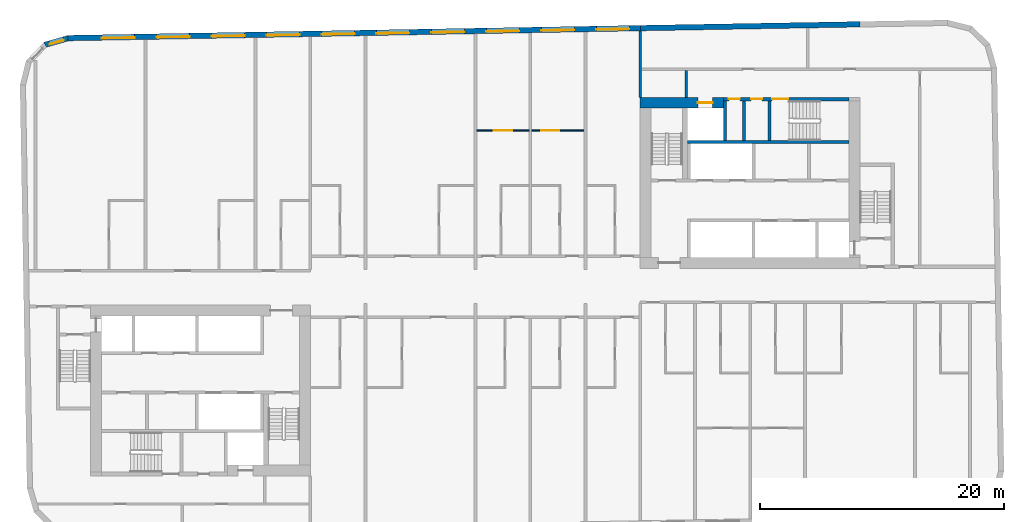
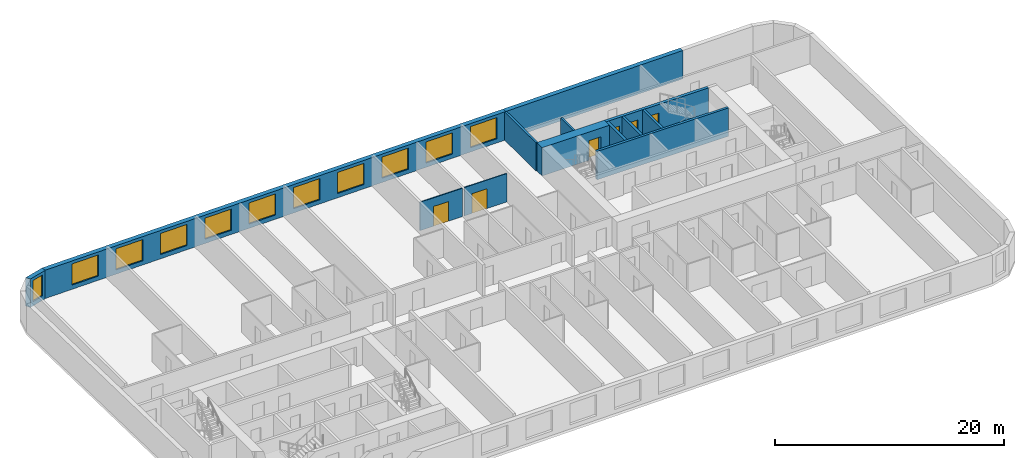
# One storey, part 6 of 12: 13 walls, 11 windows, 6 doors, 17 openings.
"""IFC4 building model written with IfcOpenShell, lengths in metres."""

from ifc_helpers import new_model, si_unit, direction, frame, frame_2d, origin, place, context, subcontext, project, spatial, polyline, rectangle, outline, extrude, material, layer, layer_set, type_object, element, fill, save


model = new_model("IFC4")

# Units and contexts
model_context = context("Model", 3, precision=1e-05, world=origin(), true_north=direction((0.0, 1.0)))
body_context = subcontext(model_context, "Body", "Model", "MODEL_VIEW")
ifc_project = project(units=[si_unit("LENGTHUNIT", "METRE"), si_unit("AREAUNIT", "SQUARE_METRE"), si_unit("VOLUMEUNIT", "CUBIC_METRE"), si_unit("PLANEANGLEUNIT", "RADIAN"), si_unit("MASSUNIT", "GRAM", prefix="KILO")], contexts=[model_context])

# Site, building, storey
site_placement = place(None, origin())
site = spatial("IfcSite", under=ifc_project, at=site_placement, CompositionType="ELEMENT")
building_placement = place(site_placement, origin())
building = spatial("IfcBuilding", under=site, at=building_placement, Name="Kajstack Hotel Tower", CompositionType="ELEMENT")
storey_placement = place(building_placement, frame((0.0, 0.0, 234.199951171875)))
storey = spatial("IfcBuildingStorey", under=building, at=storey_placement, Name="L57", CompositionType="ELEMENT", Elevation=234.199951171875)

# Wall, opening, door
ifc_material_1 = material(Name="Concrete C60/75", Category="concrete")
ifc_layer_1 = layer(ifc_material_1, 0.89990234375)
ifc_layer_set_1 = layer_set([ifc_layer_1], Name="Core wall 900")
wall_type_1 = type_object("IfcWallType", Name="Core wall 900", PredefinedType="SHEAR", material=ifc_layer_set_1)
wall_1_placement = place(storey_placement, frame((13.5, 15.050048828125, 0.0), z_axis=(0.0, 0.0, 1.0), x_axis=(1.0, 0.0, 0.0)))
wall_1 = element("IfcWall", 1, at=wall_1_placement, inside=storey, type_object=wall_type_1, Name="Core wall E RS", PredefinedType="SHEAR", context=body_context, shape_type="SweptSolid", body=[
    extrude(rectangle(XDim=6.800048828125, YDim=0.89990234375, at=frame_2d((3.39990234375, 0.0))), origin(), (0.0, 0.0, 1.0), 3.02001953125),
])
opening_1_placement = place(wall_1_placement, frame((4.72509765625, 0.0, 0.0)))
opening_1 = element("IfcOpeningElement", 2, at=opening_1_placement, cuts=wall_1, Name="Opening LD-SV2", PredefinedType="OPENING", context=body_context, shape_type="SweptSolid", body=[
    extrude(rectangle(XDim=1.199951171875, YDim=2.10009765625, at=frame_2d((0.60009765625, 1.050048828125))), frame((0.0, 0.4599609375, 0.0), z_axis=(0.0, -1.0, 0.0), x_axis=(1.0, 0.0, 0.0)), (0.0, 0.0, 1.0), 0.919921875),
])
ifc_material_2 = material(Name="Stainless steel", Category="steel")
door_type_1 = type_object("IfcDoorType", Name="Lift landing door 1200", OperationType="SLIDING_TO_LEFT", PredefinedType="DOOR", material=ifc_material_2)
door_1_placement = place(opening_1_placement, origin())
door_1 = element("IfcDoor", 3, at=door_1_placement, inside=storey, type_object=door_type_1, Name="Landing door SV2", OperationType="SLIDING_TO_LEFT", OverallHeight=2.10009765625, OverallWidth=1.199951171875, PredefinedType="DOOR", context=body_context, shape_type="SweptSolid", body=[
    extrude(rectangle(XDim=1.199951171875, YDim=2.10009765625, at=frame_2d((0.60009765625, 1.050048828125))), frame((0.0, 0.02490234375, 0.0), z_axis=(0.0, -1.0, 0.0), x_axis=(1.0, 0.0, 0.0)), (0.0, 0.0, 1.0), 0.050048828125),
])
fill(opening_1, door_1)

# Walls
ifc_material_3 = material(Name="Twin-frame gypsum board on steel studs, mineral wool", Category="steel")
ifc_layer_2 = layer(ifc_material_3, 0.199951171875)
ifc_layer_set_2 = layer_set([ifc_layer_2], Name="Demising wall 200")
wall_type_2 = type_object("IfcWallType", Name="Demising wall 200", PredefinedType="PARTITIONING", material=ifc_layer_set_2)
wall_2_placement = place(storey_placement, frame((13.5, 15.5, 0.0), z_axis=(0.0, 0.0, 1.0), x_axis=(0.0, 1.0, 0.0)))
element("IfcWall", 4, at=wall_2_placement, inside=storey, type_object=wall_type_2, Name="G-wall-L57-001", PredefinedType="PARTITIONING", context=body_context, shape_type="SweptSolid", body=[
    extrude(rectangle(XDim=5.43603515625, YDim=0.199951171875, at=frame_2d((2.718017578125, 0.0))), origin(), (0.0, 0.0, 1.0), 3.02001953125),
])
ifc_material_4 = material(Name="Concrete C40/50", Category="concrete")
ifc_layer_3 = layer(ifc_material_4, 0.449951171875)
ifc_layer_set_3 = layer_set([ifc_layer_3], Name="EW-CORE")
wall_type_3 = type_object("IfcWallType", Name="EW-CORE", PredefinedType="SOLIDWALL", material=ifc_layer_set_3)
wall_3_placement = place(storey_placement, frame((31.50390625, 21.4755859375, 0.0), z_axis=(0.0, 0.0, 1.0), x_axis=(-0.999847677887, -0.017453395744, 0.0)))
element("IfcWall", 5, at=wall_3_placement, inside=storey, type_object=wall_type_3, Name="E-wall-L57-12-01", PredefinedType="SOLIDWALL", context=body_context, shape_type="SweptSolid", body=[
    extrude(rectangle(XDim=18.002685546875, YDim=0.449951171875, at=frame_2d((9.00146484375, 0.0))), origin(), (0.0, 0.0, 1.0), 3.02001953125),
])

# Wall, openings, windows
ifc_material_5 = material(Name="Terracotta-faced brick masonry", Category="masonry")
ifc_layer_4 = layer(ifc_material_5, 0.449951171875)
ifc_layer_set_4 = layer_set([ifc_layer_4], Name="EW-TERRA")
wall_type_4 = type_object("IfcWallType", Name="EW-TERRA", PredefinedType="SOLIDWALL", material=ifc_layer_set_4)
wall_4_placement = place(storey_placement, frame((13.50390625, 21.161376953125, 0.0), z_axis=(0.0, 0.0, 1.0), x_axis=(-0.999847763257, -0.017448504532, 0.0)))
wall_4 = element("IfcWall", 6, at=wall_4_placement, inside=storey, type_object=wall_type_4, Name="E-wall-L57-12-02", PredefinedType="SOLIDWALL", context=body_context, shape_type="SweptSolid", body=[
    extrude(rectangle(XDim=46.859375, YDim=0.449951171875, at=frame_2d((23.4296875, 0.0))), origin(), (0.0, 0.0, 1.0), 3.02001953125),
])
opening_2_placement = place(wall_4_placement, frame((0.900390625, 0.0, 0.449951171875)))
opening_2 = element("IfcOpeningElement", 7, at=opening_2_placement, cuts=wall_4, Name="Opening W1", PredefinedType="OPENING", context=body_context, shape_type="SweptSolid", body=[
    extrude(rectangle(XDim=2.699951171875, YDim=2.25, at=frame_2d((1.35009765625, 1.125))), frame((0.0, 0.23486328125, 0.0), z_axis=(0.0, -1.0, 0.0), x_axis=(1.0, 0.0, 0.0)), (0.0, 0.0, 1.0), 0.469970703125),
])
opening_3_placement = place(wall_4_placement, frame((5.401123046875, 0.0, 0.449951171875)))
opening_3 = element("IfcOpeningElement", 8, at=opening_3_placement, cuts=wall_4, Name="Opening W1", PredefinedType="OPENING", context=body_context, shape_type="SweptSolid", body=[
    extrude(rectangle(XDim=2.699951171875, YDim=2.25, at=frame_2d((1.35009765625, 1.125))), frame((0.0, 0.23486328125, 0.0), z_axis=(0.0, -1.0, 0.0), x_axis=(1.0, 0.0, 0.0)), (0.0, 0.0, 1.0), 0.469970703125),
])
opening_4_placement = place(wall_4_placement, frame((9.90185546875, 0.0, 0.449951171875)))
opening_4 = element("IfcOpeningElement", 9, at=opening_4_placement, cuts=wall_4, Name="Opening W1", PredefinedType="OPENING", context=body_context, shape_type="SweptSolid", body=[
    extrude(rectangle(XDim=2.699951171875, YDim=2.25, at=frame_2d((1.35009765625, 1.125))), frame((0.0, 0.23486328125, 0.0), z_axis=(0.0, -1.0, 0.0), x_axis=(1.0, 0.0, 0.0)), (0.0, 0.0, 1.0), 0.469970703125),
])
opening_5_placement = place(wall_4_placement, frame((14.40234375, 0.0, 0.449951171875)))
opening_5 = element("IfcOpeningElement", 10, at=opening_5_placement, cuts=wall_4, Name="Opening W1", PredefinedType="OPENING", context=body_context, shape_type="SweptSolid", body=[
    extrude(rectangle(XDim=2.699951171875, YDim=2.25, at=frame_2d((1.35009765625, 1.125))), frame((0.0, 0.23486328125, 0.0), z_axis=(0.0, -1.0, 0.0), x_axis=(1.0, 0.0, 0.0)), (0.0, 0.0, 1.0), 0.469970703125),
])
opening_6_placement = place(wall_4_placement, frame((18.9033203125, 0.0, 0.449951171875)))
opening_6 = element("IfcOpeningElement", 11, at=opening_6_placement, cuts=wall_4, Name="Opening W1", PredefinedType="OPENING", context=body_context, shape_type="SweptSolid", body=[
    extrude(rectangle(XDim=2.699951171875, YDim=2.25, at=frame_2d((1.35009765625, 1.125))), frame((0.0, 0.23486328125, 0.0), z_axis=(0.0, -1.0, 0.0), x_axis=(1.0, 0.0, 0.0)), (0.0, 0.0, 1.0), 0.469970703125),
])
opening_7_placement = place(wall_4_placement, frame((23.40380859375, 0.0, 0.449951171875)))
opening_7 = element("IfcOpeningElement", 12, at=opening_7_placement, cuts=wall_4, Name="Opening W1", PredefinedType="OPENING", context=body_context, shape_type="SweptSolid", body=[
    extrude(rectangle(XDim=2.699951171875, YDim=2.25, at=frame_2d((1.35009765625, 1.125))), frame((0.0, 0.23486328125, 0.0), z_axis=(0.0, -1.0, 0.0), x_axis=(1.0, 0.0, 0.0)), (0.0, 0.0, 1.0), 0.469970703125),
])
opening_8_placement = place(wall_4_placement, frame((27.904296875, 0.0, 0.449951171875)))
opening_8 = element("IfcOpeningElement", 13, at=opening_8_placement, cuts=wall_4, Name="Opening W1", PredefinedType="OPENING", context=body_context, shape_type="SweptSolid", body=[
    extrude(rectangle(XDim=2.699951171875, YDim=2.25, at=frame_2d((1.35009765625, 1.125))), frame((0.0, 0.23486328125, 0.0), z_axis=(0.0, -1.0, 0.0), x_axis=(1.0, 0.0, 0.0)), (0.0, 0.0, 1.0), 0.469970703125),
])
opening_9_placement = place(wall_4_placement, frame((32.4052734375, 0.0, 0.449951171875)))
opening_9 = element("IfcOpeningElement", 14, at=opening_9_placement, cuts=wall_4, Name="Opening W1", PredefinedType="OPENING", context=body_context, shape_type="SweptSolid", body=[
    extrude(rectangle(XDim=2.699951171875, YDim=2.25, at=frame_2d((1.35009765625, 1.125))), frame((0.0, 0.23486328125, 0.0), z_axis=(0.0, -1.0, 0.0), x_axis=(1.0, 0.0, 0.0)), (0.0, 0.0, 1.0), 0.469970703125),
])
opening_10_placement = place(wall_4_placement, frame((36.906005859375, 0.0, 0.449951171875)))
opening_10 = element("IfcOpeningElement", 15, at=opening_10_placement, cuts=wall_4, Name="Opening W1", PredefinedType="OPENING", context=body_context, shape_type="SweptSolid", body=[
    extrude(rectangle(XDim=2.699951171875, YDim=2.25, at=frame_2d((1.35009765625, 1.125))), frame((0.0, 0.23486328125, 0.0), z_axis=(0.0, -1.0, 0.0), x_axis=(1.0, 0.0, 0.0)), (0.0, 0.0, 1.0), 0.469970703125),
])
opening_11_placement = place(wall_4_placement, frame((41.406494140625, 0.0, 0.449951171875)))
opening_11 = element("IfcOpeningElement", 16, at=opening_11_placement, cuts=wall_4, Name="Opening W1", PredefinedType="OPENING", context=body_context, shape_type="SweptSolid", body=[
    extrude(rectangle(XDim=2.699951171875, YDim=2.25, at=frame_2d((1.35009765625, 1.125))), frame((0.0, 0.23486328125, 0.0), z_axis=(0.0, -1.0, 0.0), x_axis=(1.0, 0.0, 0.0)), (0.0, 0.0, 1.0), 0.469970703125),
])
ifc_material_6 = material(Name="Timber-aluminium window, triple glazed", Category="wood")
window_type_1 = type_object("IfcWindowType", Name="WG1", PartitioningType="SINGLE_PANEL", PredefinedType="WINDOW", material=ifc_material_6)
window_1_placement = place(opening_2_placement, origin())
window_1 = element("IfcWindow", 17, at=window_1_placement, inside=storey, type_object=window_type_1, Name="Window W1 L57-12", OverallHeight=2.25, OverallWidth=2.699951171875, PartitioningType="SINGLE_PANEL", PredefinedType="WINDOW", context=body_context, shape_type="SweptSolid", body=[
    extrude(rectangle(XDim=2.699951171875, YDim=2.25, at=frame_2d((1.35009765625, 1.125))), frame((0.0, 0.090087890625, 0.0), z_axis=(0.0, -1.0, 0.0), x_axis=(1.0, 0.0, 0.0)), (0.0, 0.0, 1.0), 0.06005859375),
])
fill(opening_2, window_1)
window_2_placement = place(opening_3_placement, origin())
window_2 = element("IfcWindow", 18, at=window_2_placement, inside=storey, type_object=window_type_1, Name="Window W1 L57-12", OverallHeight=2.25, OverallWidth=2.699951171875, PartitioningType="SINGLE_PANEL", PredefinedType="WINDOW", context=body_context, shape_type="SweptSolid", body=[
    extrude(rectangle(XDim=2.699951171875, YDim=2.25, at=frame_2d((1.35009765625, 1.125))), frame((0.0, 0.090087890625, 0.0), z_axis=(0.0, -1.0, 0.0), x_axis=(1.0, 0.0, 0.0)), (0.0, 0.0, 1.0), 0.06005859375),
])
fill(opening_3, window_2)
window_3_placement = place(opening_4_placement, origin())
window_3 = element("IfcWindow", 19, at=window_3_placement, inside=storey, type_object=window_type_1, Name="Window W1 L57-12", OverallHeight=2.25, OverallWidth=2.699951171875, PartitioningType="SINGLE_PANEL", PredefinedType="WINDOW", context=body_context, shape_type="SweptSolid", body=[
    extrude(rectangle(XDim=2.699951171875, YDim=2.25, at=frame_2d((1.35009765625, 1.125))), frame((0.0, 0.090087890625, 0.0), z_axis=(0.0, -1.0, 0.0), x_axis=(1.0, 0.0, 0.0)), (0.0, 0.0, 1.0), 0.06005859375),
])
fill(opening_4, window_3)
window_4_placement = place(opening_5_placement, origin())
window_4 = element("IfcWindow", 20, at=window_4_placement, inside=storey, type_object=window_type_1, Name="Window W1 L57-12", OverallHeight=2.25, OverallWidth=2.699951171875, PartitioningType="SINGLE_PANEL", PredefinedType="WINDOW", context=body_context, shape_type="SweptSolid", body=[
    extrude(rectangle(XDim=2.699951171875, YDim=2.25, at=frame_2d((1.35009765625, 1.125))), frame((0.0, 0.090087890625, 0.0), z_axis=(0.0, -1.0, 0.0), x_axis=(1.0, 0.0, 0.0)), (0.0, 0.0, 1.0), 0.06005859375),
])
fill(opening_5, window_4)
window_5_placement = place(opening_6_placement, origin())
window_5 = element("IfcWindow", 21, at=window_5_placement, inside=storey, type_object=window_type_1, Name="Window W1 L57-12", OverallHeight=2.25, OverallWidth=2.699951171875, PartitioningType="SINGLE_PANEL", PredefinedType="WINDOW", context=body_context, shape_type="SweptSolid", body=[
    extrude(rectangle(XDim=2.699951171875, YDim=2.25, at=frame_2d((1.35009765625, 1.125))), frame((0.0, 0.090087890625, 0.0), z_axis=(0.0, -1.0, 0.0), x_axis=(1.0, 0.0, 0.0)), (0.0, 0.0, 1.0), 0.06005859375),
])
fill(opening_6, window_5)
window_6_placement = place(opening_7_placement, origin())
window_6 = element("IfcWindow", 22, at=window_6_placement, inside=storey, type_object=window_type_1, Name="Window W1 L57-12", OverallHeight=2.25, OverallWidth=2.699951171875, PartitioningType="SINGLE_PANEL", PredefinedType="WINDOW", context=body_context, shape_type="SweptSolid", body=[
    extrude(rectangle(XDim=2.699951171875, YDim=2.25, at=frame_2d((1.35009765625, 1.125))), frame((0.0, 0.090087890625, 0.0), z_axis=(0.0, -1.0, 0.0), x_axis=(1.0, 0.0, 0.0)), (0.0, 0.0, 1.0), 0.06005859375),
])
fill(opening_7, window_6)
window_7_placement = place(opening_8_placement, origin())
window_7 = element("IfcWindow", 23, at=window_7_placement, inside=storey, type_object=window_type_1, Name="Window W1 L57-12", OverallHeight=2.25, OverallWidth=2.699951171875, PartitioningType="SINGLE_PANEL", PredefinedType="WINDOW", context=body_context, shape_type="SweptSolid", body=[
    extrude(rectangle(XDim=2.699951171875, YDim=2.25, at=frame_2d((1.35009765625, 1.125))), frame((0.0, 0.090087890625, 0.0), z_axis=(0.0, -1.0, 0.0), x_axis=(1.0, 0.0, 0.0)), (0.0, 0.0, 1.0), 0.06005859375),
])
fill(opening_8, window_7)
window_8_placement = place(opening_9_placement, origin())
window_8 = element("IfcWindow", 24, at=window_8_placement, inside=storey, type_object=window_type_1, Name="Window W1 L57-12", OverallHeight=2.25, OverallWidth=2.699951171875, PartitioningType="SINGLE_PANEL", PredefinedType="WINDOW", context=body_context, shape_type="SweptSolid", body=[
    extrude(rectangle(XDim=2.699951171875, YDim=2.25, at=frame_2d((1.35009765625, 1.125))), frame((0.0, 0.090087890625, 0.0), z_axis=(0.0, -1.0, 0.0), x_axis=(1.0, 0.0, 0.0)), (0.0, 0.0, 1.0), 0.06005859375),
])
fill(opening_9, window_8)
window_9_placement = place(opening_10_placement, origin())
window_9 = element("IfcWindow", 25, at=window_9_placement, inside=storey, type_object=window_type_1, Name="Window W1 L57-12", OverallHeight=2.25, OverallWidth=2.699951171875, PartitioningType="SINGLE_PANEL", PredefinedType="WINDOW", context=body_context, shape_type="SweptSolid", body=[
    extrude(rectangle(XDim=2.699951171875, YDim=2.25, at=frame_2d((1.35009765625, 1.125))), frame((0.0, 0.090087890625, 0.0), z_axis=(0.0, -1.0, 0.0), x_axis=(1.0, 0.0, 0.0)), (0.0, 0.0, 1.0), 0.06005859375),
])
fill(opening_10, window_9)
window_10_placement = place(opening_11_placement, origin())
window_10 = element("IfcWindow", 26, at=window_10_placement, inside=storey, type_object=window_type_1, Name="Window W1 L57-12", OverallHeight=2.25, OverallWidth=2.699951171875, PartitioningType="SINGLE_PANEL", PredefinedType="WINDOW", context=body_context, shape_type="SweptSolid", body=[
    extrude(rectangle(XDim=2.699951171875, YDim=2.25, at=frame_2d((1.35009765625, 1.125))), frame((0.0, 0.090087890625, 0.0), z_axis=(0.0, -1.0, 0.0), x_axis=(1.0, 0.0, 0.0)), (0.0, 0.0, 1.0), 0.06005859375),
])
fill(opening_11, window_10)

# Wall, opening, window
wall_5_placement = place(storey_placement, frame((-33.290283203125, 20.352294921875, 0.0), z_axis=(0.0, 0.0, 1.0), x_axis=(-0.961247584925, -0.275686562016, 0.0)))
wall_5 = element("IfcWall", 27, at=wall_5_placement, inside=storey, type_object=wall_type_4, Name="E-wall-L57-13-00", PredefinedType="SOLIDWALL", context=body_context, shape_type="SweptSolid", body=[
    extrude(outline(polyline([(0.0, -0.22509765625), (2.070556640625, -0.22509765625), (1.949951171875, 0.224853515625), (0.12060546875, 0.224853515625), (0.0, -0.22509765625)])), origin(), (0.0, 0.0, 1.0), 3.02001953125),
])
opening_12_placement = place(wall_5_placement, frame((0.435302734375, 0.0, 0.449951171875)))
opening_12 = element("IfcOpeningElement", 28, at=opening_12_placement, cuts=wall_5, Name="Opening W3", PredefinedType="OPENING", context=body_context, shape_type="SweptSolid", body=[
    extrude(rectangle(XDim=1.199951171875, YDim=2.25, at=frame_2d((0.60009765625, 1.125))), frame((0.0, 0.23486328125, 0.0), z_axis=(0.0, -1.0, 0.0), x_axis=(1.0, 0.0, 0.0)), (0.0, 0.0, 1.0), 0.469970703125),
])
window_type_2 = type_object("IfcWindowType", Name="WG3", PartitioningType="SINGLE_PANEL", PredefinedType="WINDOW", material=ifc_material_6)
window_11_placement = place(opening_12_placement, origin())
window_11 = element("IfcWindow", 29, at=window_11_placement, inside=storey, type_object=window_type_2, Name="Window W3 L57-13", OverallHeight=2.25, OverallWidth=1.199951171875, PartitioningType="SINGLE_PANEL", PredefinedType="WINDOW", context=body_context, shape_type="SweptSolid", body=[
    extrude(rectangle(XDim=1.199951171875, YDim=2.25, at=frame_2d((0.60009765625, 1.125))), frame((0.0, 0.090087890625, 0.0), z_axis=(0.0, -1.0, 0.0), x_axis=(1.0, 0.0, 0.0)), (0.0, 0.0, 1.0), 0.06005859375),
])
fill(opening_12, window_11)

# Wall, opening, door
ifc_material_7 = material(Name="Gypsum board on steel studs", Category="steel")
ifc_layer_5 = layer(ifc_material_7, 0.10009765625)
ifc_layer_set_5 = layer_set([ifc_layer_5], Name="Partition 100")
wall_type_5 = type_object("IfcWallType", Name="Partition 100", PredefinedType="PARTITIONING", material=ifc_layer_set_5)
wall_6_placement = place(storey_placement, frame((0.125, 12.77490234375, 0.0), z_axis=(0.0, 0.0, 1.0), x_axis=(1.0, 0.0, 0.0)))
wall_6 = element("IfcWall", 30, at=wall_6_placement, inside=storey, type_object=wall_type_5, Name="G-wall-L57-019", PredefinedType="PARTITIONING", context=body_context, shape_type="SweptSolid", body=[
    extrude(rectangle(XDim=4.27490234375, YDim=0.10009765625, at=frame_2d((2.137451171875, 0.0))), origin(), (0.0, 0.0, 1.0), 3.02001953125),
])
opening_13_placement = place(wall_6_placement, frame((1.387939453125, 0.0, 0.0)))
opening_13 = element("IfcOpeningElement", 31, at=opening_13_placement, cuts=wall_6, Name="Opening 57013", PredefinedType="OPENING", context=body_context, shape_type="SweptSolid", body=[
    extrude(rectangle(XDim=1.5, YDim=2.10009765625, at=frame_2d((0.75, 1.050048828125))), frame((0.0, 0.06005859375, 0.0), z_axis=(0.0, -1.0, 0.0), x_axis=(1.0, 0.0, 0.0)), (0.0, 0.0, 1.0), 0.1201171875),
])
ifc_material_8 = material(Name="Painted timber door leaves, glazed panels", Category="wood")
door_type_2 = type_object("IfcDoorType", Name="Double door 1500", OperationType="SINGLE_SWING_LEFT", PredefinedType="DOOR", material=ifc_material_8)
door_2_placement = place(opening_13_placement, origin())
door_2 = element("IfcDoor", 32, at=door_2_placement, inside=storey, type_object=door_type_2, Name="G-door-L57-13", OperationType="SINGLE_SWING_LEFT", OverallHeight=2.10009765625, OverallWidth=1.5, PredefinedType="DOOR", context=body_context, shape_type="SweptSolid", body=[
    extrude(rectangle(XDim=1.5, YDim=2.10009765625, at=frame_2d((0.75, 1.050048828125))), frame((0.0, 0.02490234375, 0.0), z_axis=(0.0, -1.0, 0.0), x_axis=(1.0, 0.0, 0.0)), (0.0, 0.0, 1.0), 0.050048828125),
])
fill(opening_13, door_2)

wall_7_placement = place(storey_placement, frame((4.60009765625, 12.77490234375, 0.0), z_axis=(0.0, 0.0, 1.0), x_axis=(1.0, 0.0, 0.0)))
wall_7 = element("IfcWall", 33, at=wall_7_placement, inside=storey, type_object=wall_type_5, Name="G-wall-L57-022", PredefinedType="PARTITIONING", context=body_context, shape_type="SweptSolid", body=[
    extrude(rectangle(XDim=4.27490234375, YDim=0.10009765625, at=frame_2d((2.137451171875, 0.0))), origin(), (0.0, 0.0, 1.0), 3.02001953125),
])
opening_14_placement = place(wall_7_placement, frame((0.7880859375, 0.0, 0.0)))
opening_14 = element("IfcOpeningElement", 34, at=opening_14_placement, cuts=wall_7, Name="Opening 57016", PredefinedType="OPENING", context=body_context, shape_type="SweptSolid", body=[
    extrude(rectangle(XDim=1.5, YDim=2.10009765625, at=frame_2d((0.75, 1.050048828125))), frame((0.0, 0.06005859375, 0.0), z_axis=(0.0, -1.0, 0.0), x_axis=(1.0, 0.0, 0.0)), (0.0, 0.0, 1.0), 0.1201171875),
])
door_3_placement = place(opening_14_placement, origin())
door_3 = element("IfcDoor", 35, at=door_3_placement, inside=storey, type_object=door_type_2, Name="G-door-L57-16", OperationType="SINGLE_SWING_LEFT", OverallHeight=2.10009765625, OverallWidth=1.5, PredefinedType="DOOR", context=body_context, shape_type="SweptSolid", body=[
    extrude(rectangle(XDim=1.5, YDim=2.10009765625, at=frame_2d((0.75, 1.050048828125))), frame((0.0, 0.02490234375, 0.0), z_axis=(0.0, -1.0, 0.0), x_axis=(1.0, 0.0, 0.0)), (0.0, 0.0, 1.0), 0.050048828125),
])
fill(opening_14, door_3)

# Walls
ifc_material_9 = material(Name="Concrete block masonry", Category="masonry")
ifc_layer_6 = layer(ifc_material_9, 0.25)
ifc_layer_set_6 = layer_set([ifc_layer_6], Name="Riser partition 250")
wall_type_6 = type_object("IfcWallType", Name="Riser partition 250", PredefinedType="PARTITIONING", material=ifc_layer_set_6)
wall_8_placement = place(storey_placement, frame((22.0, 11.949951171875, 0.0), z_axis=(0.0, 0.0, 1.0), x_axis=(0.0, 1.0, 0.0)))
element("IfcWall", 36, at=wall_8_placement, inside=storey, type_object=wall_type_6, Name="Partition E SZ0", PredefinedType="PARTITIONING", context=body_context, shape_type="SweptSolid", body=[
    extrude(rectangle(XDim=3.25, YDim=0.25, at=frame_2d((1.625, 0.0))), origin(), (0.0, 0.0, 1.0), 3.02001953125),
])
ifc_material_10 = material(Name="Gypsum board on steel studs, mineral wool", Category="steel")
ifc_layer_7 = layer(ifc_material_10, 0.199951171875)
ifc_layer_set_7 = layer_set([ifc_layer_7], Name="Service partition 200")
wall_type_7 = type_object("IfcWallType", Name="Service partition 200", PredefinedType="PARTITIONING", material=ifc_layer_set_7)
wall_9_placement = place(storey_placement, frame((17.25, 15.5, 0.0), z_axis=(0.0, 0.0, 1.0), x_axis=(0.0, 1.0, 0.0)))
element("IfcWall", 37, at=wall_9_placement, inside=storey, type_object=wall_type_7, Name="Partition E SCE", PredefinedType="PARTITIONING", context=body_context, shape_type="SweptSolid", body=[
    extrude(rectangle(XDim=2.199951171875, YDim=0.199951171875, at=frame_2d((1.10009765625, 0.0))), origin(), (0.0, 0.0, 1.0), 3.02001953125),
])

# Wall, openings, doors
ifc_material_11 = material(Name="Concrete C50/60", Category="concrete")
ifc_layer_8 = layer(ifc_material_11, 0.25)
ifc_layer_set_8 = layer_set([ifc_layer_8], Name="Shaft wall 250")
wall_type_8 = type_object("IfcWallType", Name="Shaft wall 250", PredefinedType="SHEAR", material=ifc_layer_set_8)
wall_10_placement = place(storey_placement, frame((20.300048828125, 15.35009765625, 0.0), z_axis=(0.0, 0.0, 1.0), x_axis=(1.0, 0.0, 0.0)))
wall_10 = element("IfcWall", 38, at=wall_10_placement, inside=storey, type_object=wall_type_8, Name="Core wall E RSS", PredefinedType="SHEAR", context=body_context, shape_type="SweptSolid", body=[
    extrude(rectangle(XDim=10.300048828125, YDim=0.300048828125, at=frame_2d((5.14990234375, 0.0))), origin(), (0.0, 0.0, 1.0), 3.02001953125),
])
opening_15_placement = place(wall_10_placement, frame((4.0, 0.0, 0.0)))
opening_15 = element("IfcOpeningElement", 39, at=opening_15_placement, cuts=wall_10, Name="Opening 57E12", PredefinedType="OPENING", context=body_context, shape_type="SweptSolid", body=[
    extrude(rectangle(XDim=1.300048828125, YDim=2.10009765625, at=frame_2d((0.64990234375, 1.050048828125))), frame((0.0, 0.159912109375, 0.0), z_axis=(0.0, -1.0, 0.0), x_axis=(1.0, 0.0, 0.0)), (0.0, 0.0, 1.0), 0.320068359375),
])
opening_16_placement = place(wall_10_placement, frame((2.28759765625, 0.0, 0.0)))
opening_16 = element("IfcOpeningElement", 40, at=opening_16_placement, cuts=wall_10, Name="Opening 57E13", PredefinedType="OPENING", context=body_context, shape_type="SweptSolid", body=[
    extrude(rectangle(XDim=0.89990234375, YDim=2.10009765625, at=frame_2d((0.449951171875, 1.050048828125))), frame((0.0, 0.159912109375, 0.0), z_axis=(0.0, -1.0, 0.0), x_axis=(1.0, 0.0, 0.0)), (0.0, 0.0, 1.0), 0.320068359375),
])
opening_17_placement = place(wall_10_placement, frame((0.46240234375, 0.0, 0.0)))
opening_17 = element("IfcOpeningElement", 41, at=opening_17_placement, cuts=wall_10, Name="Opening 57E14", PredefinedType="OPENING", context=body_context, shape_type="SweptSolid", body=[
    extrude(rectangle(XDim=0.89990234375, YDim=2.10009765625, at=frame_2d((0.449951171875, 1.050048828125))), frame((0.0, 0.159912109375, 0.0), z_axis=(0.0, -1.0, 0.0), x_axis=(1.0, 0.0, 0.0)), (0.0, 0.0, 1.0), 0.320068359375),
])
ifc_material_12 = material(Name="Timber leaf, fire-rated", Category="wood")
door_type_3 = type_object("IfcDoorType", Name="Service door 900", OperationType="SINGLE_SWING_LEFT", PredefinedType="DOOR", material=ifc_material_12)
door_4_placement = place(opening_16_placement, origin())
door_4 = element("IfcDoor", 42, at=door_4_placement, inside=storey, type_object=door_type_3, Name="Door 57E13", OperationType="SINGLE_SWING_RIGHT", OverallHeight=2.10009765625, OverallWidth=0.89990234375, PredefinedType="DOOR", context=body_context, shape_type="SweptSolid", body=[
    extrude(rectangle(XDim=0.89990234375, YDim=2.10009765625, at=frame_2d((0.449951171875, 1.050048828125))), frame((0.0, 0.02490234375, 0.0), z_axis=(0.0, -1.0, 0.0), x_axis=(1.0, 0.0, 0.0)), (0.0, 0.0, 1.0), 0.050048828125),
])
fill(opening_16, door_4)
door_5_placement = place(opening_17_placement, origin())
door_5 = element("IfcDoor", 43, at=door_5_placement, inside=storey, type_object=door_type_3, Name="Door 57E14", OperationType="SINGLE_SWING_RIGHT", OverallHeight=2.10009765625, OverallWidth=0.89990234375, PredefinedType="DOOR", context=body_context, shape_type="SweptSolid", body=[
    extrude(rectangle(XDim=0.89990234375, YDim=2.10009765625, at=frame_2d((0.449951171875, 1.050048828125))), frame((0.0, 0.02490234375, 0.0), z_axis=(0.0, -1.0, 0.0), x_axis=(1.0, 0.0, 0.0)), (0.0, 0.0, 1.0), 0.050048828125),
])
fill(opening_17, door_5)
ifc_material_13 = material(Name="Steel leaf, fire-rated", Category="steel")
door_type_4 = type_object("IfcDoorType", Name="Stair door 1300", OperationType="SINGLE_SWING_LEFT", PredefinedType="DOOR", material=ifc_material_13)
door_6_placement = place(opening_15_placement, origin())
door_6 = element("IfcDoor", 44, at=door_6_placement, inside=storey, type_object=door_type_4, Name="Door 57E12", OperationType="SINGLE_SWING_LEFT", OverallHeight=2.10009765625, OverallWidth=1.300048828125, PredefinedType="DOOR", context=body_context, shape_type="SweptSolid", body=[
    extrude(rectangle(XDim=1.300048828125, YDim=2.10009765625, at=frame_2d((0.64990234375, 1.050048828125))), frame((0.0, 0.02490234375, 0.0), z_axis=(0.0, -1.0, 0.0), x_axis=(1.0, 0.0, 0.0)), (0.0, 0.0, 1.0), 0.050048828125),
])
fill(opening_15, door_6)

# Walls
wall_11_placement = place(storey_placement, frame((17.35009765625, 11.824951171875, 0.0), z_axis=(0.0, 0.0, 1.0), x_axis=(1.0, 0.0, 0.0)))
element("IfcWall", 45, at=wall_11_placement, inside=storey, type_object=wall_type_8, Name="Core wall E RB", PredefinedType="SHEAR", context=body_context, shape_type="SweptSolid", body=[
    extrude(rectangle(XDim=13.25, YDim=0.25, at=frame_2d((6.625, 0.0))), origin(), (0.0, 0.0, 1.0), 3.02001953125),
])
wall_12_placement = place(storey_placement, frame((20.425048828125, 11.949951171875, 0.0), z_axis=(0.0, 0.0, 1.0), x_axis=(0.0, 1.0, 0.0)))
element("IfcWall", 46, at=wall_12_placement, inside=storey, type_object=wall_type_8, Name="Core wall E SVW", PredefinedType="SHEAR", context=body_context, shape_type="SweptSolid", body=[
    extrude(rectangle(XDim=3.25, YDim=0.25, at=frame_2d((1.625, 0.0))), origin(), (0.0, 0.0, 1.0), 3.02001953125),
])
ifc_layer_9 = layer(ifc_material_11, 0.35009765625)
ifc_layer_set_9 = layer_set([ifc_layer_9], Name="Stair enclosure wall 350")
wall_type_9 = type_object("IfcWallType", Name="Stair enclosure wall 350", PredefinedType="SHEAR", material=ifc_layer_set_9)
wall_13_placement = place(storey_placement, frame((24.074951171875, 11.949951171875, 0.0), z_axis=(0.0, 0.0, 1.0), x_axis=(0.0, 1.0, 0.0)))
element("IfcWall", 47, at=wall_13_placement, inside=storey, type_object=wall_type_9, Name="Core wall E W3E", PredefinedType="SHEAR", context=body_context, shape_type="SweptSolid", body=[
    extrude(rectangle(XDim=3.25, YDim=0.25, at=frame_2d((1.625, 0.0))), origin(), (0.0, 0.0, 1.0), 3.02001953125),
])

save(model, "model.ifc")
